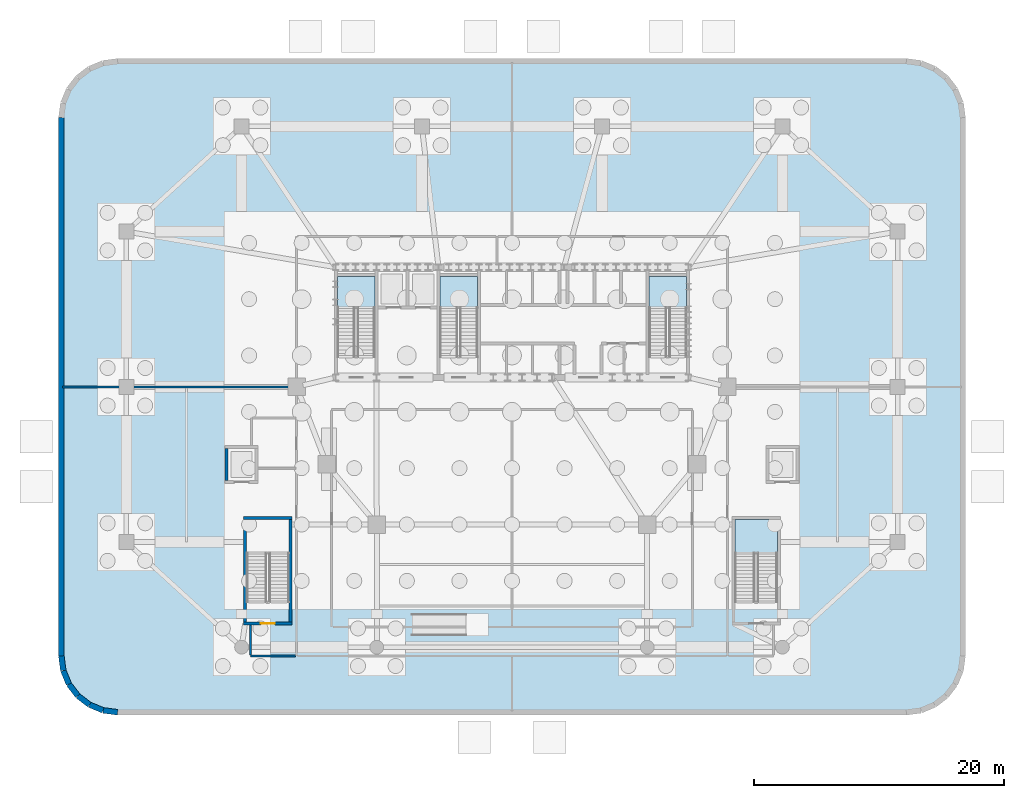
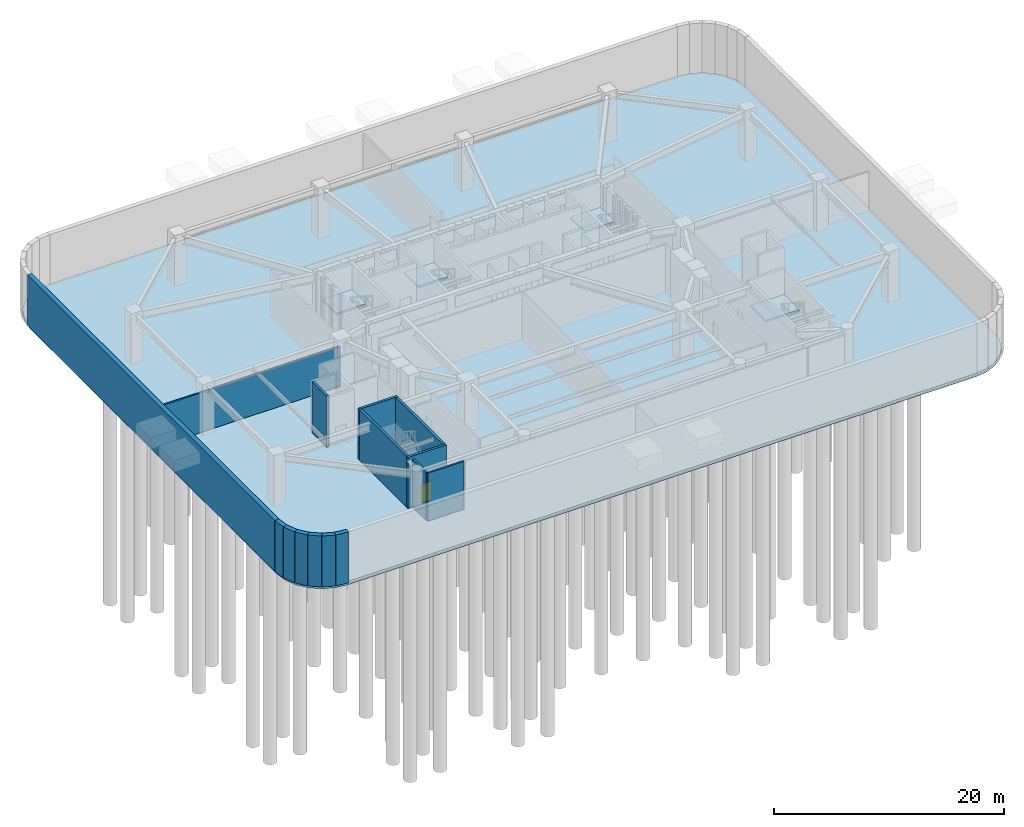
# One storey, part 4 of 11: 15 walls, 5 slabs, 1 door, 1 opening, 4 elements without a shape of their own.
"""IFC4 building model written with IfcOpenShell, lengths in metres."""

from ifc_helpers import new_model, si_unit, direction, frame, frame_2d, origin, place, context, subcontext, project, spatial, polyline, rectangle, outline, extrude, material, layer, layer_set, type_object, element, fill, aggregate, save


model = new_model("IFC4")

# Units and contexts
model_context = context("Model", 3, precision=1e-05, world=origin(), true_north=direction((0.0, 1.0)))
body_context = subcontext(model_context, "Body", "Model", "MODEL_VIEW")
ifc_project = project(units=[si_unit("LENGTHUNIT", "METRE"), si_unit("AREAUNIT", "SQUARE_METRE"), si_unit("VOLUMEUNIT", "CUBIC_METRE"), si_unit("PLANEANGLEUNIT", "RADIAN"), si_unit("MASSUNIT", "GRAM", prefix="KILO")], contexts=[model_context])

# Site, building, storey
site_placement = place(None, origin())
site = spatial("IfcSite", under=ifc_project, at=site_placement, CompositionType="ELEMENT")
building_placement = place(site_placement, origin())
building = spatial("IfcBuilding", under=site, at=building_placement, Name="Haldorwick Loom Tower", CompositionType="ELEMENT")
storey_placement = place(building_placement, frame((0.0, 0.0, -5.39990234375)))
storey = spatial("IfcBuildingStorey", under=building, at=storey_placement, Name="B01", CompositionType="ELEMENT", Elevation=-5.39990234375)

# Slab
ifc_material_1 = material(Name="Concrete C45 (45 MPa)", Category="concrete")
ifc_layer_1 = layer(ifc_material_1, 0.35009765625, Name="Concrete C45 (45 MPa)", Category="concrete")
ifc_layer_set_1 = layer_set([ifc_layer_1], Name="Concrete C45 (45 MPa)")
slab_type_1 = type_object("IfcSlabType", Name="STR-SLB-BASE350", PredefinedType="BASESLAB", material=ifc_layer_set_1)
slab_1_placement = place(storey_placement, frame((0.0, 0.0, -0.35009765625)))
element("IfcSlab", 1, at=slab_1_placement, inside=storey, type_object=slab_type_1, Name="B01 Basement Structural Base Slab", PredefinedType="BASESLAB", context=body_context, shape_type="SweptSolid", body=[
    extrude(outline(polyline([(67.5, 0.0), (68.664794921875, 0.1533203125), (69.75, 0.602783203125), (70.681884765625, 1.318115234375), (71.397216796875, 2.25), (71.8466796875, 3.335205078125), (72.0, 4.5), (72.0, 47.5), (71.8466796875, 48.664794921875), (71.397216796875, 49.75), (70.681884765625, 50.681884765625), (69.75, 51.397216796875), (68.664794921875, 51.8466796875), (67.5, 52.0), (4.5, 52.0), (3.335205078125, 51.8466796875), (2.25, 51.397216796875), (1.318115234375, 50.681884765625), (0.602783203125, 49.75), (0.1533203125, 48.664794921875), (0.0, 47.5), (0.0, 4.5), (0.1533203125, 3.335205078125), (0.602783203125, 2.25), (1.318115234375, 1.318115234375), (2.25, 0.602783203125), (3.335205078125, 0.1533203125), (4.5, 0.0), (67.5, 0.0)])), origin(), (0.0, 0.0, 1.0), 0.35009765625),
])

# Stair, slab
ifc_material_2 = material(Name="Concrete C40 (40 MPa)", Category="concrete")
stair_type_1 = type_object("IfcStairType", Name="STR-STR-CORE", PredefinedType="HALF_TURN_STAIR", material=ifc_material_2)
stair_1_placement = place(storey_placement, origin())
stair_1 = element("IfcStair", 2, at=stair_1_placement, inside=storey, type_object=stair_type_1, Name="B01 Exit Stair ST-01", PredefinedType="HALF_TURN_STAIR")
ifc_layer_2 = layer(ifc_material_2, 0.199951171875, Name="Concrete C40 (40 MPa)", Category="concrete")
ifc_layer_set_2 = layer_set([ifc_layer_2], Name="Concrete C40 (40 MPa)")
slab_type_2 = type_object("IfcSlabType", Name="STR-SLB-LAND200", PredefinedType="LANDING", material=ifc_layer_set_2)
slab_2_placement = place(storey_placement, frame((0.0, 0.0, 2.5)))
slab_2 = element("IfcSlab", 3, at=slab_2_placement, type_object=slab_type_2, Name="ST-01 landing 1", PredefinedType="LANDING", context=body_context, shape_type="SweptSolid", body=[
    extrude(outline(polyline([(25.050048828125, 32.320068359375), (25.050048828125, 34.800048828125), (22.050048828125, 34.800048828125), (22.050048828125, 32.320068359375), (25.050048828125, 32.320068359375)])), origin(), (0.0, 0.0, 1.0), 0.199951171875),
])
aggregate(stair_1, [slab_2])

stair_2_placement = place(storey_placement, origin())
stair_2 = element("IfcStair", 4, at=stair_2_placement, inside=storey, type_object=stair_type_1, Name="B01 Exit Stair ST-02", PredefinedType="HALF_TURN_STAIR")
slab_3_placement = place(storey_placement, frame((0.0, 0.0, 2.5)))
slab_3 = element("IfcSlab", 5, at=slab_3_placement, type_object=slab_type_2, Name="ST-02 landing 1", PredefinedType="LANDING", context=body_context, shape_type="SweptSolid", body=[
    extrude(outline(polyline([(49.949951171875, 32.320068359375), (49.949951171875, 34.800048828125), (46.949951171875, 34.800048828125), (46.949951171875, 32.320068359375), (49.949951171875, 32.320068359375)])), origin(), (0.0, 0.0, 1.0), 0.199951171875),
])
aggregate(stair_2, [slab_3])

stair_3_placement = place(storey_placement, origin())
stair_3 = element("IfcStair", 6, at=stair_3_placement, inside=storey, type_object=stair_type_1, Name="B01 Exit Stair ST-03", PredefinedType="HALF_TURN_STAIR")
slab_4_placement = place(storey_placement, frame((0.0, 0.0, 2.5)))
slab_4 = element("IfcSlab", 7, at=slab_4_placement, type_object=slab_type_2, Name="ST-03 landing 1", PredefinedType="LANDING", context=body_context, shape_type="SweptSolid", body=[
    extrude(outline(polyline([(33.25, 32.320068359375), (33.25, 34.800048828125), (30.25, 34.800048828125), (30.25, 32.320068359375), (33.25, 32.320068359375)])), origin(), (0.0, 0.0, 1.0), 0.199951171875),
])
aggregate(stair_3, [slab_4])

stair_type_2 = type_object("IfcStairType", Name="STR-STR-POD", PredefinedType="HALF_TURN_STAIR", material=ifc_material_2)
stair_4_placement = place(storey_placement, origin())
stair_4 = element("IfcStair", 8, at=stair_4_placement, inside=storey, type_object=stair_type_2, Name="B01 Exit Stair ST-P2", PredefinedType="HALF_TURN_STAIR")
slab_5_placement = place(storey_placement, frame((0.0, 0.0, 2.5)))
slab_5 = element("IfcSlab", 9, at=slab_5_placement, type_object=slab_type_2, Name="ST-P2 landing 1", PredefinedType="LANDING", context=body_context, shape_type="SweptSolid", body=[
    extrude(outline(polyline([(57.199951171875, 12.719970703125), (57.199951171875, 15.39990234375), (53.800048828125, 15.39990234375), (53.800048828125, 12.719970703125), (57.199951171875, 12.719970703125)])), origin(), (0.0, 0.0, 1.0), 0.199951171875),
])
aggregate(stair_4, [slab_5])

# Walls
ifc_material_3 = material(Name="Fire-Rated Type X Gypsum Stud Assembly EI 60")
ifc_layer_3 = layer(ifc_material_3, 0.159912109375, Name="Fire-Rated Type X Gypsum Stud Assembly EI 60")
ifc_layer_set_3 = layer_set([ifc_layer_3], Name="Fire-Rated Type X Gypsum Stud Assembly EI 60")
wall_type_1 = type_object("IfcWallType", Name="ARC-WL-FIRE160", PredefinedType="PARTITIONING", material=ifc_layer_set_3)
wall_1_placement = place(storey_placement, frame((15.10009765625, 4.5, 0.0), z_axis=(0.0, 0.0, 1.0), x_axis=(1.0, 0.0, 0.0)))
element("IfcWall", 10, at=wall_1_placement, inside=storey, type_object=wall_type_1, Name="B01 Podium Partition B01-SS0", PredefinedType="PARTITIONING", context=body_context, shape_type="SweptSolid", body=[
    extrude(rectangle(XDim=3.616943359375, YDim=0.159912109375, at=frame_2d((1.80859375, 0.0))), origin(), (0.0, 0.0, 1.0), 5.0849609375),
])
wall_2_placement = place(storey_placement, frame((15.10009765625, 4.5830078125, 0.0), z_axis=(0.0, 0.0, 1.0), x_axis=(0.0, 1.0, 0.0)))
element("IfcWall", 11, at=wall_2_placement, inside=storey, type_object=wall_type_1, Name="B01 Podium Partition B01-SWL", PredefinedType="PARTITIONING", context=body_context, shape_type="SweptSolid", body=[
    extrude(rectangle(XDim=2.3740234375, YDim=0.159912109375, at=frame_2d((1.18701171875, 0.0))), origin(), (0.0, 0.0, 1.0), 5.0849609375),
])
wall_3_placement = place(storey_placement, frame((0.10009765625, 26.0, 0.0), z_axis=(0.0, 0.0, 1.0), x_axis=(1.0, 0.0, 0.0)))
element("IfcWall", 12, at=wall_3_placement, inside=storey, type_object=wall_type_1, Name="B01 Podium Partition B01-DV3", PredefinedType="PARTITIONING", context=body_context, shape_type="SweptSolid", body=[
    extrude(rectangle(XDim=18.616943359375, YDim=0.159912109375, at=frame_2d((9.30859375, 0.0))), origin(), (0.0, 0.0, 1.0), 4.219970703125),
])
ifc_layer_4 = layer(ifc_material_1, 0.449951171875, Name="Concrete C45 (45 MPa)", Category="concrete")
ifc_layer_set_4 = layer_set([ifc_layer_4], Name="Concrete C45 (45 MPa)")
wall_type_2 = type_object("IfcWallType", Name="STR-WL-BSMT450", PredefinedType="SOLIDWALL", material=ifc_layer_set_4)
wall_4_placement = place(storey_placement, frame((0.0, 47.5, 0.0), z_axis=(0.0, 0.0, 1.0), x_axis=(0.0, -1.0, 0.0)))
element("IfcWall", 13, at=wall_4_placement, inside=storey, type_object=wall_type_2, Name="B01 Perimeter Basement Retaining Wall 21", PredefinedType="SOLIDWALL", context=body_context, shape_type="SweptSolid", body=[
    extrude(rectangle(XDim=43.0, YDim=0.449951171875, at=frame_2d((21.5, 0.0))), origin(), (0.0, 0.0, 1.0), 5.39990234375),
])
wall_5_placement = place(storey_placement, frame((0.0, 4.5, 0.0), z_axis=(0.0, 0.0, 1.0), x_axis=(0.130502892298, -0.991447928588, 0.0)))
element("IfcWall", 14, at=wall_5_placement, inside=storey, type_object=wall_type_2, Name="B01 Perimeter Basement Retaining Wall 22", PredefinedType="SOLIDWALL", context=body_context, shape_type="SweptSolid", body=[
    extrude(rectangle(XDim=1.1748046875, YDim=0.449951171875, at=frame_2d((0.58740234375, 0.0))), origin(), (0.0, 0.0, 1.0), 5.39990234375),
])
wall_6_placement = place(storey_placement, frame((0.1533203125, 3.335205078125, 0.0), z_axis=(0.0, 0.0, 1.0), x_axis=(0.382651625058, -0.923892706888, 0.0)))
element("IfcWall", 15, at=wall_6_placement, inside=storey, type_object=wall_type_2, Name="B01 Perimeter Basement Retaining Wall 23", PredefinedType="SOLIDWALL", context=body_context, shape_type="SweptSolid", body=[
    extrude(rectangle(XDim=1.174560546875, YDim=0.449951171875, at=frame_2d((0.58740234375, 0.0))), origin(), (0.0, 0.0, 1.0), 5.39990234375),
])
for number, where, z_axis, x_axis, name in (
    (16, (0.602783203125, 2.25, 0.0), (0.0, 0.0, 1.0), (0.60890698735, -0.79324162823, 0.0), "B01 Perimeter Basement Retaining Wall 24"),
    (17, (1.318115234375, 1.318115234375, 0.0), (0.0, 0.0, 1.0), (0.79324162823, -0.60890698735, 0.0), "B01 Perimeter Basement Retaining Wall 25"),
):
    element("IfcWall", number, at=place(storey_placement, frame(where, z_axis=z_axis, x_axis=x_axis)), inside=storey, type_object=wall_type_2, Name=name, PredefinedType="SOLIDWALL", context=body_context, shape_type="SweptSolid", body=[
        extrude(rectangle(XDim=1.1748046875, YDim=0.449951171875, at=frame_2d((0.58740234375, 0.0))), origin(), (0.0, 0.0, 1.0), 5.39990234375),
    ])
wall_7_placement = place(storey_placement, frame((2.25, 0.602783203125, 0.0), z_axis=(0.0, 0.0, 1.0), x_axis=(0.923892706888, -0.382651625058, 0.0)))
element("IfcWall", 18, at=wall_7_placement, inside=storey, type_object=wall_type_2, Name="B01 Perimeter Basement Retaining Wall 26", PredefinedType="SOLIDWALL", context=body_context, shape_type="SweptSolid", body=[
    extrude(rectangle(XDim=1.174560546875, YDim=0.449951171875, at=frame_2d((0.58740234375, 0.0))), origin(), (0.0, 0.0, 1.0), 5.39990234375),
])
wall_8_placement = place(storey_placement, frame((3.335205078125, 0.1533203125, 0.0), z_axis=(0.0, 0.0, 1.0), x_axis=(0.991447928588, -0.130502892298, 0.0)))
element("IfcWall", 19, at=wall_8_placement, inside=storey, type_object=wall_type_2, Name="B01 Perimeter Basement Retaining Wall 27", PredefinedType="SOLIDWALL", context=body_context, shape_type="SweptSolid", body=[
    extrude(rectangle(XDim=1.1748046875, YDim=0.449951171875, at=frame_2d((0.58740234375, 0.0))), origin(), (0.0, 0.0, 1.0), 5.39990234375),
])

# Wall, opening, door
ifc_material_4 = material(Name="Concrete C50 (50 MPa)", Category="concrete")
ifc_layer_5 = layer(ifc_material_4, 0.239990234375, Name="Concrete C50 (50 MPa)", Category="concrete")
ifc_layer_set_5 = layer_set([ifc_layer_5], Name="Concrete C50 (50 MPa)")
wall_type_3 = type_object("IfcWallType", Name="STR-WL-SHAFT240", PredefinedType="SHEAR", material=ifc_layer_set_5)
wall_9_placement = place(storey_placement, frame((14.56005859375, 7.080078125, 0.0), z_axis=(0.0, 0.0, 1.0), x_axis=(1.0, 0.0, 0.0)))
wall_9 = element("IfcWall", 20, at=wall_9_placement, inside=storey, type_object=wall_type_3, Name="B01 Exit Stairwell ST-P1 Wall", PredefinedType="SHEAR", context=body_context, shape_type="SweptSolid", body=[
    extrude(rectangle(XDim=3.8798828125, YDim=0.239990234375, at=frame_2d((1.93994140625, 0.0))), origin(), (0.0, 0.0, 1.0), 5.39990234375),
])
opening_placement = place(wall_9_placement, frame((1.389892578125, 0.0, 0.0)))
opening = element("IfcOpeningElement", 21, at=opening_placement, cuts=wall_9, Name="Opening D-FD90", PredefinedType="OPENING", context=body_context, shape_type="SweptSolid", body=[
    extrude(rectangle(XDim=1.10009765625, YDim=2.0, at=frame_2d((0.550048828125, 1.0))), frame((0.0, 0.1298828125, 0.0), z_axis=(0.0, -1.0, 0.0), x_axis=(1.0, 0.0, 0.0)), (0.0, 0.0, 1.0), 0.260009765625),
])
ifc_material_5 = material(Name="Hollow Steel Fire Door Assembly", Category="steel")
door_type = type_object("IfcDoorType", Name="ARC-DR-FD90", OperationType="NOTDEFINED", PredefinedType="DOOR", material=ifc_material_5)
door_placement = place(opening_placement, origin())
door = element("IfcDoor", 22, at=door_placement, inside=storey, type_object=door_type, Name="B01 Exit Stairwell ST-P1 Exit Door", OperationType="SINGLE_SWING_LEFT", OverallHeight=2.0, OverallWidth=1.10009765625, PredefinedType="DOOR", context=body_context, shape_type="SweptSolid", body=[
    extrude(rectangle(XDim=1.10009765625, YDim=2.0, at=frame_2d((0.550048828125, 1.0))), frame((0.0, 0.02490234375, 0.0), z_axis=(0.0, -1.0, 0.0), x_axis=(1.0, 0.0, 0.0)), (0.0, 0.0, 1.0), 0.050048828125),
])
fill(opening, door)

# Walls
wall_10_placement = place(storey_placement, frame((18.43994140625, 15.52001953125, 0.0), z_axis=(0.0, 0.0, 1.0), x_axis=(-1.0, 0.0, 0.0)))
element("IfcWall", 23, at=wall_10_placement, inside=storey, type_object=wall_type_3, Name="B01 Exit Stairwell ST-P1 Wall", PredefinedType="SHEAR", context=body_context, shape_type="SweptSolid", body=[
    extrude(rectangle(XDim=3.8798828125, YDim=0.239990234375, at=frame_2d((1.93994140625, 0.0))), origin(), (0.0, 0.0, 1.0), 5.39990234375),
])
for number, where, z_axis, x_axis, name in (
    (24, (14.679931640625, 7.202880859375, 0.0), (0.0, 0.0, 1.0), (0.0, 1.0, 0.0), "B01 Exit Stairwell ST-P1 Wall"),
    (25, (18.320068359375, 7.202880859375, 0.0), (0.0, 0.0, 1.0), (0.0, 1.0, 0.0), "B01 Exit Stairwell ST-P1 Wall"),
):
    element("IfcWall", number, at=place(storey_placement, frame(where, z_axis=z_axis, x_axis=x_axis)), inside=storey, type_object=wall_type_3, Name=name, PredefinedType="SHEAR", context=body_context, shape_type="SweptSolid", body=[
        extrude(rectangle(XDim=8.194091796875, YDim=0.239990234375, at=frame_2d((4.09716796875, 0.0))), origin(), (0.0, 0.0, 1.0), 5.39990234375),
    ])
wall_11_placement = place(storey_placement, frame((13.199951171875, 18.52294921875, 0.0), z_axis=(0.0, 0.0, 1.0), x_axis=(0.0, 1.0, 0.0)))
element("IfcWall", 26, at=wall_11_placement, inside=storey, type_object=wall_type_3, Name="B01 Podium Lift Shaft LF-P1 Wall", PredefinedType="SHEAR", context=body_context, shape_type="SweptSolid", body=[
    extrude(rectangle(XDim=2.553955078125, YDim=0.239990234375, at=frame_2d((1.27685546875, 0.0))), origin(), (0.0, 0.0, 1.0), 5.39990234375),
])

save(model, "model.ifc")
